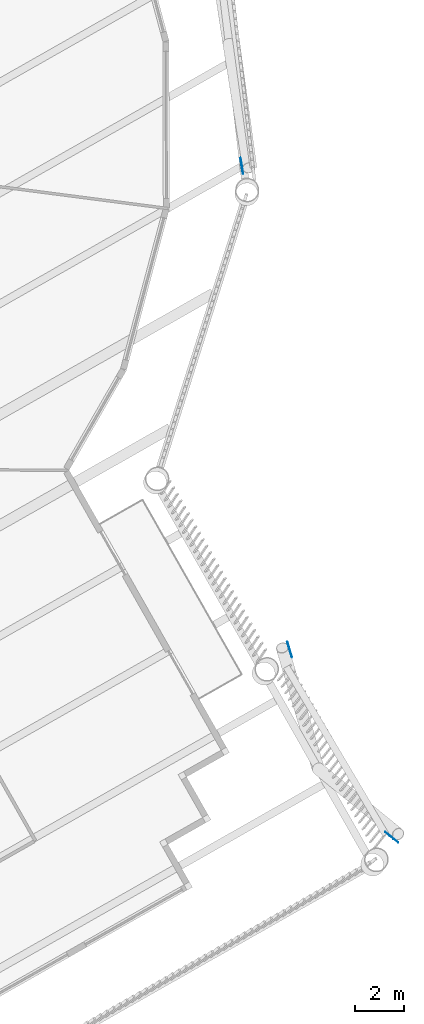
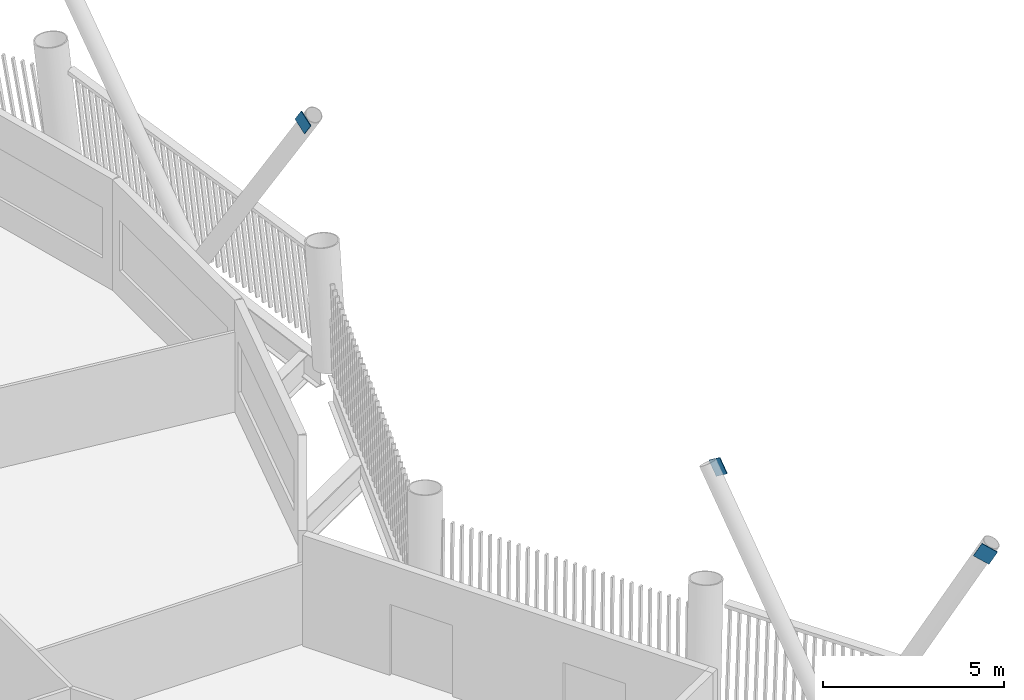
# One storey, part 12 of 21: 3 discrete accessories.
"""IFC4 building model written with IfcOpenShell, lengths in metres."""

from ifc_helpers import new_model, si_unit, direction, frame, origin, origin_2d, place, context, subcontext, project, spatial, rectangle, extrude, material, material_profile, profile_set, type_object, element, save


model = new_model("IFC4")

# Units and contexts
model_context = context("Model", 3, precision=1e-05, world=origin(), true_north=direction((0.0, 1.0)))
body_context = subcontext(model_context, "Body", "Model", "MODEL_VIEW")
ifc_project = project(units=[si_unit("LENGTHUNIT", "METRE"), si_unit("AREAUNIT", "SQUARE_METRE"), si_unit("VOLUMEUNIT", "CUBIC_METRE"), si_unit("PLANEANGLEUNIT", "RADIAN"), si_unit("MASSUNIT", "GRAM", prefix="KILO")], contexts=[model_context])

# Site, building, storey
site_placement = place(None, origin())
site = spatial("IfcSite", under=ifc_project, at=site_placement, CompositionType="ELEMENT")
building_placement = place(site_placement, origin())
building = spatial("IfcBuilding", under=site, at=building_placement, Name="Tarsis Ring Headquarters", CompositionType="ELEMENT")
storey_placement = place(building_placement, frame((0.0, 0.0, 347.0)))
storey = spatial("IfcBuildingStorey", under=building, at=storey_placement, Name="L82", CompositionType="ELEMENT", Elevation=347.0)

# Discrete accessories
ifc_material = material(Name="Structural steel S355", Category="steel")
ifc_material_profile = material_profile(ifc_material, rectangle(XDim=0.02490234375, YDim=0.5, at=origin_2d()), Name="PL 25x500")
ifc_profile_set = profile_set([ifc_material_profile], Name="Structural steel S355")
discrete_accessory_type = type_object("IfcDiscreteAccessoryType", Name="Gusset plate Exo brace 25", PredefinedType="BRACKET", material=ifc_profile_set)
for number, where, z_axis, x_axis, name in (
    (1, (30.610107421875, -21.05810546875, 7.375), (0.162617081648, -0.545963655503, -0.821875520761), (0.958390673591, 0.285459833905, 0.0), "Gusset plate GP5"),
    (2, (34.8798828125, -28.885009765625, 7.623779296875), (-0.372646605982, 0.304271081949, -0.876671897428), (-0.632463516726, -0.774590149699, 0.0), "Gusset plate GP5"),
    (3, (28.73583984375, -1.738037109375, 7.800048828125), (-0.085925895278, 0.539966137371, -0.837289263644), (-0.987574007841, -0.157154634159, 0.0), "Gusset plate GP5"),
):
    element("IfcDiscreteAccessory", number, at=place(storey_placement, frame(where, z_axis=z_axis, x_axis=x_axis)), inside=storey, type_object=discrete_accessory_type, Name=name, PredefinedType="BRACKET", context=body_context, shape_type="SweptSolid", body=[
        extrude(rectangle(XDim=0.02490234375, YDim=0.5, at=origin_2d()), origin(), (0.0, 0.0, 1.0), 0.5),
    ])

save(model, "model.ifc")
